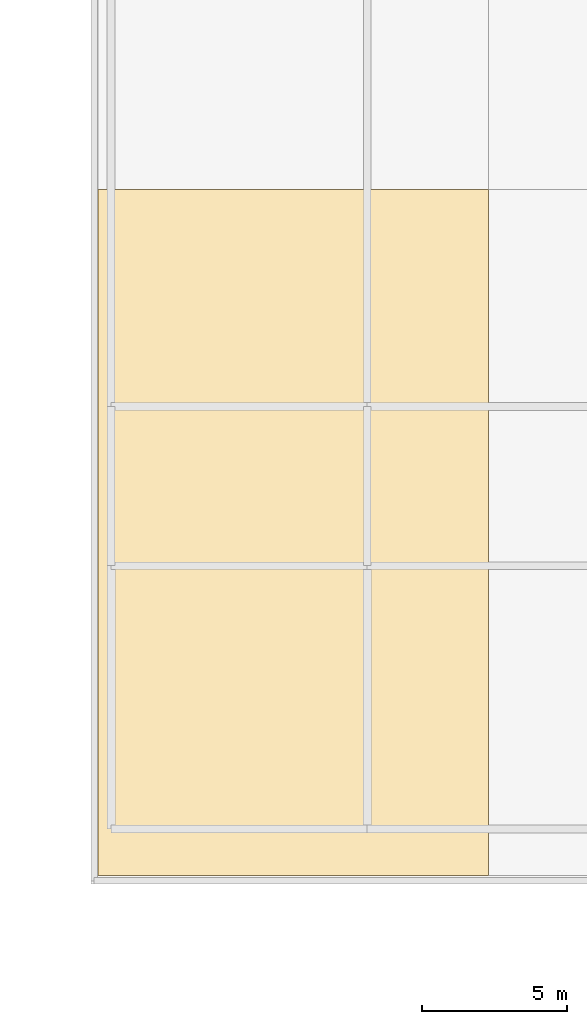
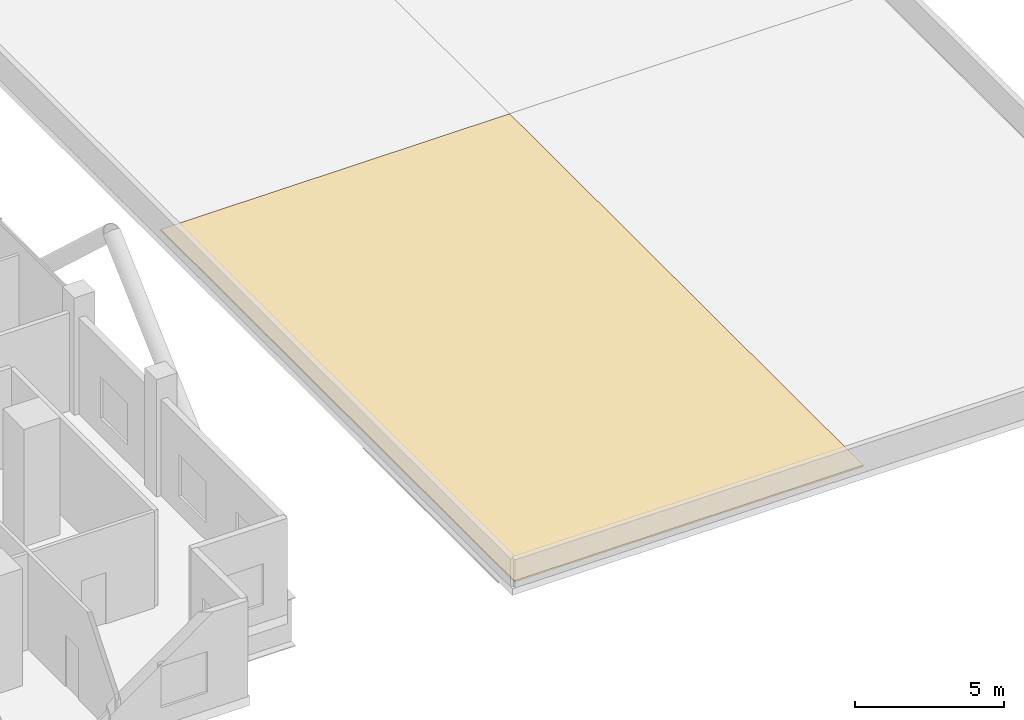
# One storey, part 30 of 33: 1 covering.
"""IFC4 building model written with IfcOpenShell, lengths in metres."""

import ifcopenshell
import ifcopenshell.guid

model = None  # the IFC model being written
_history = None  # IfcOwnerHistory: only IFC2X3 demands one
_inside = {}  # id of a spatial element -> (the spatial element, [elements in it])
_under = {}  # id of a project, library or spatial element -> (it, [spatial elements below it])
_declared = {}  # id of a project -> (the project, [libraries it declares])
_typed = {}  # id of a type object -> (the type object, [elements of that type])
_made_of = {}  # id of a material, layer set ... -> (it, [elements and type objects made of it])


def new_model(schema):
    """Start an empty IFC model of exactly this schema.

    Asked for "IFC4X3", IfcOpenShell would pick the latest addendum, in which some entities
    have other attributes; the version numbers below select the first issue.
    IFC2X3 requires an IfcOwnerHistory on every rooted entity: one is made here for all.
    """
    global model, _history
    if schema == "IFC4X3":
        model = ifcopenshell.file(schema_version=(4, 3, 0, 0))
    else:
        model = ifcopenshell.file(schema=schema)
    _inside.clear()
    _under.clear()
    _declared.clear()
    _typed.clear()
    _made_of.clear()
    _history = None
    if model.schema == "IFC2X3":
        org = make("IfcOrganization", Name="unknown")
        user = make(
            "IfcPersonAndOrganization",
            ThePerson=make("IfcPerson", FamilyName="unknown"),
            TheOrganization=org,
        )
        app = make(
            "IfcApplication",
            ApplicationDeveloper=org,
            Version="unknown",
            ApplicationFullName="unknown",
            ApplicationIdentifier="unknown",
        )
        _history = make(
            "IfcOwnerHistory",
            OwningUser=user,
            OwningApplication=app,
            ChangeAction="ADDED",
            CreationDate=0,
        )
    return model


def make(cls, **values):
    """One entity of the class cls with the attributes given. An attribute that is None is left unset."""
    return model.create_entity(
        cls, **{name: value for name, value in values.items() if value is not None}
    )


def rooted(cls, **values):
    """An entity with a GlobalId (a new one), such as an element, a storey or a relation."""
    return make(cls, GlobalId=ifcopenshell.guid.new(), OwnerHistory=_history, **values)


def si_unit(unit_type, name, prefix=None):
    """IfcSIUnit, for example si_unit("LENGTHUNIT", "METRE", prefix="MILLI")."""
    return make("IfcSIUnit", UnitType=unit_type, Prefix=prefix, Name=name)


def assignment(units):
    """IfcUnitAssignment: the units of a project."""
    return None if units is None else make("IfcUnitAssignment", Units=units)


def point(xyz):
    """IfcCartesianPoint."""
    return None if xyz is None else make("IfcCartesianPoint", Coordinates=xyz)


def direction(xyz):
    """IfcDirection."""
    return None if xyz is None else make("IfcDirection", DirectionRatios=xyz)


def frame(location, z_axis=None, x_axis=None):
    """IfcAxis2Placement3D, a coordinate frame: its origin and axes. An axis left out is left unset."""
    return make(
        "IfcAxis2Placement3D",
        Location=point(location),
        Axis=direction(z_axis),
        RefDirection=direction(x_axis),
    )


def origin():
    """The frame at (0, 0, 0) with its axes left unset."""
    return frame((0.0, 0.0, 0.0))


def place(relative_to, where):
    """IfcLocalPlacement: puts the frame where relative to a parent placement (None: the world)."""
    return make(
        "IfcLocalPlacement", PlacementRelTo=relative_to, RelativePlacement=where
    )


def context(
    kind, dimensions, precision=None, world=None, true_north=None, identifier=None
):
    """IfcGeometricRepresentationContext, for example the 3D "Model" context."""
    return make(
        "IfcGeometricRepresentationContext",
        ContextIdentifier=identifier,
        ContextType=kind,
        CoordinateSpaceDimension=dimensions,
        Precision=precision,
        WorldCoordinateSystem=world,
        TrueNorth=true_north,
    )


def subcontext(parent, identifier, kind, view, scale=None):
    """IfcGeometricRepresentationSubContext, for example "Body" below "Model"."""
    return make(
        "IfcGeometricRepresentationSubContext",
        ContextIdentifier=identifier,
        ContextType=kind,
        ParentContext=parent,
        TargetScale=scale,
        TargetView=view,
    )


def project(units=None, contexts=None):
    """IfcProject with its units and contexts."""
    return rooted(
        "IfcProject",
        Name="project",
        RepresentationContexts=contexts,
        UnitsInContext=assignment(units),
    )


def spatial(cls, under=None, at=None, **own):
    """A site, building, storey or space (cls), placed at a placement, below another one or the project."""
    s = rooted(cls, ObjectPlacement=at, **own)
    if under is not None:
        _under.setdefault(under.id(), (under, []))[1].append(s)
    return s


def polyline(points):
    """IfcPolyline through the points."""
    return make("IfcPolyline", Points=[point(p) for p in points])


def outline(outer, holes=None, kind="AREA"):
    """IfcArbitraryClosedProfileDef: a profile drawn as a closed curve; with holes, ...WithVoids."""
    if holes is None:
        return make("IfcArbitraryClosedProfileDef", ProfileType=kind, OuterCurve=outer)
    return make(
        "IfcArbitraryProfileDefWithVoids",
        ProfileType=kind,
        OuterCurve=outer,
        InnerCurves=holes,
    )


def extrude(swept, where, along, depth):
    """IfcExtrudedAreaSolid: the profile swept, set in the frame where, extruded along a direction by depth."""
    return make(
        "IfcExtrudedAreaSolid",
        SweptArea=swept,
        Position=where,
        ExtrudedDirection=direction(along),
        Depth=depth,
    )


def shape(context_of_items, identifier, shape_type, items):
    """IfcShapeRepresentation: the items that make up one representation, for example the "Body"."""
    return make(
        "IfcShapeRepresentation",
        ContextOfItems=context_of_items,
        RepresentationIdentifier=identifier,
        RepresentationType=shape_type,
        Items=items,
    )


def material(Name=None, Category=None):
    """IfcMaterial."""
    return make("IfcMaterial", Name=Name, Category=Category)


def layer(
    of_material, thickness, ventilated=None, Name=None, Category=None, Priority=None
):
    """IfcMaterialLayer: one layer of a wall or slab, of a material (None: an air gap)."""
    return make(
        "IfcMaterialLayer",
        Material=of_material,
        LayerThickness=thickness,
        IsVentilated=ventilated,
        Name=Name,
        Category=Category,
        Priority=Priority,
    )


def layer_set(layers, Name=None):
    """IfcMaterialLayerSet."""
    return make("IfcMaterialLayerSet", MaterialLayers=layers, LayerSetName=Name)


def made_of(thing, what):
    """Note that an element or type object is made of a material, layer set ...; save() writes the relation."""
    if what is not None:
        _made_of.setdefault(what.id(), (what, []))[1].append(thing)
    return thing


def type_object(cls, material=None, **own):
    """A type object (cls), such as IfcWallType, which elements share."""
    return made_of(rooted(cls, **own), material)


def element(
    cls,
    number,
    at=None,
    inside=None,
    cuts=None,
    type_object=None,
    material=None,
    context=None,
    identifier="Body",
    shape_type=None,
    held_by="IfcProductDefinitionShape",
    body=None,
    shapes=None,
    **own,
):
    """One element of the class cls, such as IfcWall. Its Tag is "e" and its number.

    at: its placement. inside: the storey or other place that contains it. cuts: it is an
    opening in that element (IfcRelVoidsElement). A single representation is given by context,
    identifier, shape_type and body (its items); several are given by shapes. held_by: the class
    of the entity that holds the representations. save() writes the other relations.
    """
    e = rooted(cls, Tag="e%d" % number, ObjectPlacement=at, **own)
    if body is not None:
        shapes = [shape(context, identifier, shape_type, body)]
    if shapes is not None:
        e.Representation = make(held_by, Representations=shapes)
    if inside is not None:
        _inside.setdefault(inside.id(), (inside, []))[1].append(e)
    if cuts is not None:
        rooted(
            "IfcRelVoidsElement", RelatingBuildingElement=cuts, RelatedOpeningElement=e
        )
    if type_object is not None:
        _typed.setdefault(type_object.id(), (type_object, []))[1].append(e)
    return made_of(e, material)


def aggregate(whole, parts):
    """IfcRelAggregates: a whole, such as a stair, and the parts it consists of."""
    return rooted("IfcRelAggregates", RelatingObject=whole, RelatedObjects=parts)


def save(model, path):
    """Write the relations noted so far, then the file.

    IfcRelAggregates (storeys below a building ...), IfcRelContainedInSpatialStructure (elements
    in a storey), IfcRelDefinesByType, IfcRelAssociatesMaterial and IfcRelDeclares: one each for
    every whole, place, type object, material and project.
    """
    for whole, parts in _under.values():
        aggregate(whole, parts)
    for where, things in _inside.values():
        rooted(
            "IfcRelContainedInSpatialStructure",
            RelatedElements=things,
            RelatingStructure=where,
        )
    for kind, things in _typed.values():
        rooted("IfcRelDefinesByType", RelatedObjects=things, RelatingType=kind)
    for what, things in _made_of.values():
        rooted("IfcRelAssociatesMaterial", RelatedObjects=things, RelatingMaterial=what)
    for by, libraries in _declared.values():
        rooted("IfcRelDeclares", RelatingContext=by, RelatedDefinitions=libraries)
    model.write(path)


model = new_model("IFC4")

# Units and contexts
model_context = context("Model", 3, precision=1e-05, world=origin(), true_north=direction((0.0, 1.0)))
body_context = subcontext(model_context, "Body", "Model", "MODEL_VIEW")
ifc_project = project(units=[si_unit("LENGTHUNIT", "METRE"), si_unit("AREAUNIT", "SQUARE_METRE"), si_unit("VOLUMEUNIT", "CUBIC_METRE"), si_unit("PLANEANGLEUNIT", "RADIAN"), si_unit("MASSUNIT", "GRAM", prefix="KILO")], contexts=[model_context])

# Site, building, storey
site_placement = place(None, origin())
site = spatial("IfcSite", under=ifc_project, at=site_placement, CompositionType="ELEMENT")
building_placement = place(site_placement, origin())
building = spatial("IfcBuilding", under=site, at=building_placement, Name="Barlavira Tower and Art Museum", CompositionType="ELEMENT")
storey_placement = place(building_placement, frame((0.0, 0.0, 27.60009765625)))
storey = spatial("IfcBuildingStorey", under=building, at=storey_placement, Name="L05", CompositionType="ELEMENT", Elevation=27.60009765625)

# Covering
ifc_material = material(Name="Pale anodised aluminium", Category="aluminium")
ifc_layer = layer(ifc_material, 0.06005859375, Name="Pale anodised aluminium")
ifc_layer_set = layer_set([ifc_layer], Name="Pale anodised aluminium")
covering_type = type_object("IfcCoveringType", Name="Sloped Roof Standing-Seam Pale-Metal Weathering 60", PredefinedType="ROOFING", material=ifc_layer_set)
covering_placement = place(storey_placement, origin())
element("IfcCovering", 1, at=covering_placement, inside=storey, type_object=covering_type, Name="Museum Standing-Seam Roofing Bay MUS1", PredefinedType="ROOFING", context=body_context, shape_type="SweptSolid", body=[
    extrude(outline(polyline([(29.5, -23.699951171875), (43.0, -23.699951171875), (43.0, 0.0), (29.5, 0.0), (29.5, -23.699951171875)])), origin(), (0.0, 0.0, 1.0), 0.059814453125),
])

save(model, "model.ifc")
